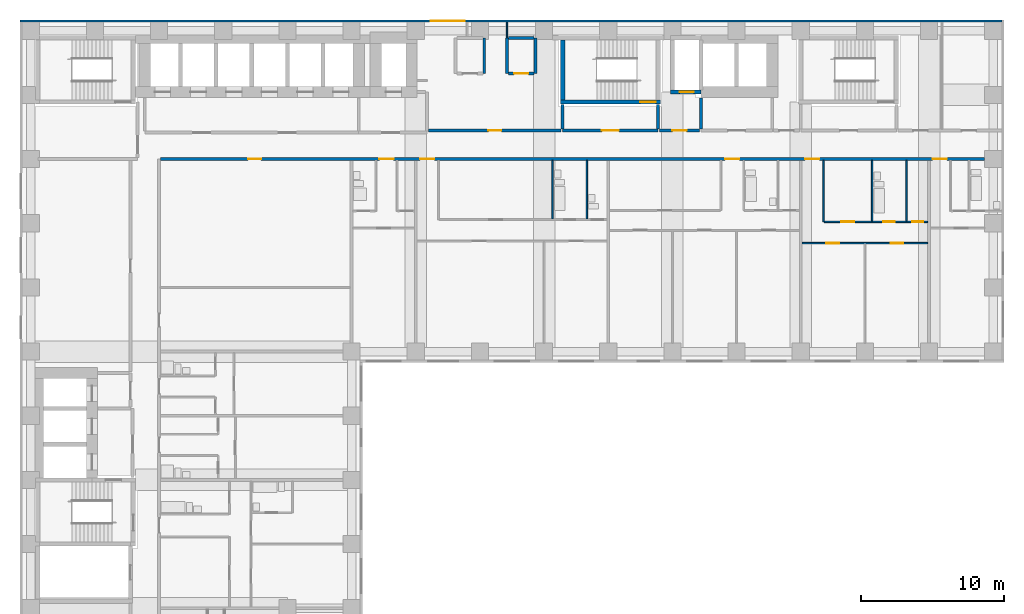
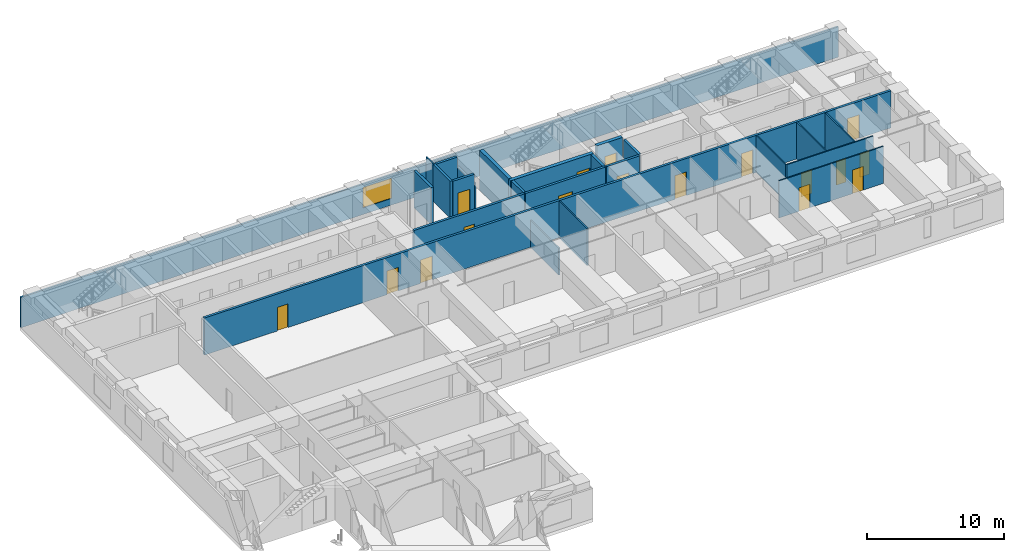
# One storey, part 7 of 11: 24 walls, 17 doors, 1 window, 18 openings.
"""IFC4 building model written with IfcOpenShell, lengths in metres."""

from ifc_helpers import new_model, si_unit, direction, frame, frame_2d, origin, place, context, subcontext, project, spatial, rectangle, extrude, material, layer, layer_set, type_object, element, fill, save


model = new_model("IFC4")

# Units and contexts
model_context = context("Model", 3, precision=1e-05, world=origin(), true_north=direction((0.0, 1.0)))
body_context = subcontext(model_context, "Body", "Model", "MODEL_VIEW")
ifc_project = project(units=[si_unit("LENGTHUNIT", "METRE"), si_unit("AREAUNIT", "SQUARE_METRE"), si_unit("VOLUMEUNIT", "CUBIC_METRE"), si_unit("PLANEANGLEUNIT", "RADIAN"), si_unit("MASSUNIT", "GRAM", prefix="KILO")], contexts=[model_context])

# Site, building, storey
site_placement = place(None, origin())
site = spatial("IfcSite", under=ifc_project, at=site_placement, CompositionType="ELEMENT")
building_placement = place(site_placement, origin())
building = spatial("IfcBuilding", under=site, at=building_placement, Name="Firuza Court", CompositionType="ELEMENT")
storey_placement = place(building_placement, frame((0.0, 0.0, 61.39990234375)))
storey = spatial("IfcBuildingStorey", under=building, at=storey_placement, Name="L14", CompositionType="ELEMENT", Elevation=61.39990234375)

# Walls
ifc_material_1 = material(Name="Moisture-resistant gypsum board partition")
ifc_layer_1 = layer(ifc_material_1, 0.10009765625)
ifc_layer_set_1 = layer_set([ifc_layer_1], Name="Moisture-resistant gypsum board partition")
wall_type_1 = type_object("IfcWallType", Name="Bathroom partition 100", PredefinedType="PLUMBINGWALL", material=ifc_layer_set_1)
for number, where, z_axis, x_axis, name in (
    (1, (59.0, 45.14990234375, 0.0), (0.0, 0.0, 1.0), (0.0, 1.0, 0.0), "Bathroom partition 100 L14"),
    (2, (61.39990234375, 45.14990234375, 0.0), (0.0, 0.0, 1.0), (0.0, 1.0, 0.0), "Bathroom partition 100 L14"),
):
    element("IfcWall", number, at=place(storey_placement, frame(where, z_axis=z_axis, x_axis=x_axis)), inside=storey, type_object=wall_type_1, Name=name, PredefinedType="PLUMBINGWALL", context=body_context, shape_type="SweptSolid", body=[
        extrude(rectangle(XDim=4.25, YDim=0.10009765625, at=frame_2d((2.125, 0.0))), origin(), (0.0, 0.0, 1.0), 3.300048828125),
    ])
wall_1_placement = place(storey_placement, frame((36.60009765625, 45.300048828125, 0.0), z_axis=(0.0, 0.0, 1.0), x_axis=(0.0, 1.0, 0.0)))
element("IfcWall", 3, at=wall_1_placement, inside=storey, type_object=wall_type_1, Name="Bathroom partition 100 L14", PredefinedType="PLUMBINGWALL", context=body_context, shape_type="SweptSolid", body=[
    extrude(rectangle(XDim=4.099853515625, YDim=0.10009765625, at=frame_2d((2.0498046875, 0.0))), origin(), (0.0, 0.0, 1.0), 2.400146484375),
])
wall_2_placement = place(storey_placement, frame((39.0, 45.300048828125, 0.0), z_axis=(0.0, 0.0, 1.0), x_axis=(0.0, 1.0, 0.0)))
element("IfcWall", 4, at=wall_2_placement, inside=storey, type_object=wall_type_1, Name="Bathroom partition 100 L14", PredefinedType="PLUMBINGWALL", context=body_context, shape_type="SweptSolid", body=[
    extrude(rectangle(XDim=4.099853515625, YDim=0.10009765625, at=frame_2d((2.0498046875, 0.0))), origin(), (0.0, 0.0, 1.0), 3.300048828125),
])

# Wall, opening, door
ifc_material_2 = material(Name="Concrete C60/75", Category="concrete")
ifc_layer_2 = layer(ifc_material_2, 0.300048828125)
ifc_layer_set_2 = layer_set([ifc_layer_2], Name="Concrete C60/75")
wall_type_2 = type_object("IfcWallType", Name="Core wall 300 C60/75", PredefinedType="SHEAR", material=ifc_layer_set_2)
wall_3_placement = place(storey_placement, frame((37.14990234375, 53.5, -0.2998046875), z_axis=(0.0, 0.0, 1.0), x_axis=(1.0, 0.0, 0.0)))
wall_3 = element("IfcWall", 5, at=wall_3_placement, inside=storey, type_object=wall_type_2, Name="Core wall stair L14", PredefinedType="SHEAR", context=body_context, shape_type="SweptSolid", body=[
    extrude(rectangle(XDim=7.0, YDim=0.300048828125, at=frame_2d((3.5, 0.0))), origin(), (0.0, 0.0, 1.0), 3.599853515625),
])
opening_1_placement = place(wall_3_placement, frame((5.580078125, 0.0, 0.300048828125)))
opening_1 = element("IfcOpeningElement", 6, at=opening_1_placement, cuts=wall_3, Name="Opening D14013", PredefinedType="OPENING", context=body_context, shape_type="SweptSolid", body=[
    extrude(rectangle(XDim=1.10009765625, YDim=2.10009765625, at=frame_2d((0.550048828125, 1.050048828125))), frame((0.0, 0.162109375, 0.0), z_axis=(0.0, -1.0, 0.0), x_axis=(1.0, 0.0, 0.0)), (0.0, 0.0, 1.0), 0.323974609375),
])
ifc_material_3 = material(Name="Timber door leaf in hardwood frame", Category="wood")
door_type_1 = type_object("IfcDoorType", Name="Stair door 1100", OperationType="SINGLE_SWING_LEFT", PredefinedType="DOOR", material=ifc_material_3)
door_1_placement = place(opening_1_placement, origin())
door_1 = element("IfcDoor", 7, at=door_1_placement, inside=storey, type_object=door_type_1, Name="Stair door S1", OperationType="SINGLE_SWING_RIGHT", OverallHeight=2.10009765625, OverallWidth=1.10009765625, PredefinedType="DOOR", context=body_context, shape_type="SweptSolid", body=[
    extrude(rectangle(XDim=1.10009765625, YDim=2.10009765625, at=frame_2d((0.550048828125, 1.050048828125))), frame((0.0, 0.02490234375, 0.0), z_axis=(0.0, -1.0, 0.0), x_axis=(1.0, 0.0, 0.0)), (0.0, 0.0, 1.0), 0.050048828125),
])
fill(opening_1, door_1)

# Wall
wall_4_placement = place(storey_placement, frame((37.300048828125, 53.64990234375, -0.2998046875), z_axis=(0.0, 0.0, 1.0), x_axis=(0.0, 1.0, 0.0)))
element("IfcWall", 8, at=wall_4_placement, inside=storey, type_object=wall_type_2, Name="Core wall stair L14", PredefinedType="SHEAR", context=body_context, shape_type="SweptSolid", body=[
    extrude(rectangle(XDim=4.2001953125, YDim=0.300048828125, at=frame_2d((2.10009765625, 0.0))), origin(), (0.0, 0.0, 1.0), 3.599853515625),
])

# Wall, opening, door
wall_5_placement = place(storey_placement, frame((44.85009765625, 54.199951171875, -0.2998046875), z_axis=(0.0, 0.0, 1.0), x_axis=(1.0, 0.0, 0.0)))
wall_5 = element("IfcWall", 9, at=wall_5_placement, inside=storey, type_object=wall_type_2, Name="Core wall riser L14", PredefinedType="SHEAR", context=body_context, shape_type="SweptSolid", body=[
    extrude(rectangle(XDim=2.14990234375, YDim=0.300048828125, at=frame_2d((1.074951171875, 0.0))), origin(), (0.0, 0.0, 1.0), 3.599853515625),
])
opening_2_placement = place(wall_5_placement, frame((0.64990234375, 0.0, 0.300048828125)))
opening_2 = element("IfcOpeningElement", 10, at=opening_2_placement, cuts=wall_5, Name="Opening D14011", PredefinedType="OPENING", context=body_context, shape_type="SweptSolid", body=[
    extrude(rectangle(XDim=1.0, YDim=2.10009765625, at=frame_2d((0.5, 1.050048828125))), frame((0.0, 0.162109375, 0.0), z_axis=(0.0, -1.0, 0.0), x_axis=(1.0, 0.0, 0.0)), (0.0, 0.0, 1.0), 0.323974609375),
])
ifc_material_4 = material(Name="Timber door leaf in hardwood frame", Category="wood")
door_type_2 = type_object("IfcDoorType", Name="Riser door 1000", OperationType="SINGLE_SWING_LEFT", PredefinedType="DOOR", material=ifc_material_4)
door_2_placement = place(opening_2_placement, origin())
door_2 = element("IfcDoor", 11, at=door_2_placement, inside=storey, type_object=door_type_2, Name="Riser door R3", OperationType="SINGLE_SWING_LEFT", OverallHeight=2.10009765625, OverallWidth=1.0, PredefinedType="DOOR", context=body_context, shape_type="SweptSolid", body=[
    extrude(rectangle(XDim=1.0, YDim=2.10009765625, at=frame_2d((0.5, 1.050048828125))), frame((0.0, 0.02490234375, 0.0), z_axis=(0.0, -1.0, 0.0), x_axis=(1.0, 0.0, 0.0)), (0.0, 0.0, 1.0), 0.050048828125),
])
fill(opening_2, door_2)

# Wall, openings, doors
ifc_material_5 = material(Name="Blockwork, plastered both sides", Category="masonry")
ifc_layer_3 = layer(ifc_material_5, 0.199951171875)
ifc_layer_set_3 = layer_set([ifc_layer_3], Name="Blockwork, plastered both sides")
wall_type_3 = type_object("IfcWallType", Name="Corridor wall 200", PredefinedType="PARTITIONING", material=ifc_layer_set_3)
wall_6_placement = place(storey_placement, frame((9.10009765625, 49.5, 0.0), z_axis=(0.0, 0.0, 1.0), x_axis=(1.0, 0.0, 0.0)))
wall_6 = element("IfcWall", 12, at=wall_6_placement, inside=storey, type_object=wall_type_3, Name="Corridor wall 200 L14", PredefinedType="PARTITIONING", context=body_context, shape_type="SweptSolid", body=[
    extrude(rectangle(XDim=57.7998046875, YDim=0.199951171875, at=frame_2d((28.89990234375, 0.0))), origin(), (0.0, 0.0, 1.0), 3.300048828125),
])
opening_3_placement = place(wall_6_placement, frame((15.35009765625, 0.0, 0.0)))
opening_3 = element("IfcOpeningElement", 13, at=opening_3_placement, cuts=wall_6, Name="Opening D14064", PredefinedType="OPENING", context=body_context, shape_type="SweptSolid", body=[
    extrude(rectangle(XDim=1.0, YDim=2.10009765625, at=frame_2d((0.5, 1.050048828125))), frame((0.0, 0.11181640625, 0.0), z_axis=(0.0, -1.0, 0.0), x_axis=(1.0, 0.0, 0.0)), (0.0, 0.0, 1.0), 0.223876953125),
])
opening_4_placement = place(wall_6_placement, frame((18.199951171875, 0.0, 0.0)))
opening_4 = element("IfcOpeningElement", 14, at=opening_4_placement, cuts=wall_6, Name="Opening D14065", PredefinedType="OPENING", context=body_context, shape_type="SweptSolid", body=[
    extrude(rectangle(XDim=1.0, YDim=2.10009765625, at=frame_2d((0.5, 1.050048828125))), frame((0.0, 0.11181640625, 0.0), z_axis=(0.0, -1.0, 0.0), x_axis=(1.0, 0.0, 0.0)), (0.0, 0.0, 1.0), 0.223876953125),
])
opening_5_placement = place(wall_6_placement, frame((39.60009765625, 0.0, 0.0)))
opening_5 = element("IfcOpeningElement", 15, at=opening_5_placement, cuts=wall_6, Name="Opening D14066", PredefinedType="OPENING", context=body_context, shape_type="SweptSolid", body=[
    extrude(rectangle(XDim=1.0, YDim=2.10009765625, at=frame_2d((0.5, 1.050048828125))), frame((0.0, 0.11181640625, 0.0), z_axis=(0.0, -1.0, 0.0), x_axis=(1.0, 0.0, 0.0)), (0.0, 0.0, 1.0), 0.223876953125),
])
opening_6_placement = place(wall_6_placement, frame((45.199951171875, 0.0, 0.0)))
opening_6 = element("IfcOpeningElement", 16, at=opening_6_placement, cuts=wall_6, Name="Opening D14067", PredefinedType="OPENING", context=body_context, shape_type="SweptSolid", body=[
    extrude(rectangle(XDim=1.0, YDim=2.10009765625, at=frame_2d((0.5, 1.050048828125))), frame((0.0, 0.11181640625, 0.0), z_axis=(0.0, -1.0, 0.0), x_axis=(1.0, 0.0, 0.0)), (0.0, 0.0, 1.0), 0.223876953125),
])
opening_7_placement = place(wall_6_placement, frame((54.14990234375, 0.0, 0.0)))
opening_7 = element("IfcOpeningElement", 17, at=opening_7_placement, cuts=wall_6, Name="Opening D14068", PredefinedType="OPENING", context=body_context, shape_type="SweptSolid", body=[
    extrude(rectangle(XDim=1.0, YDim=2.10009765625, at=frame_2d((0.5, 1.050048828125))), frame((0.0, 0.11181640625, 0.0), z_axis=(0.0, -1.0, 0.0), x_axis=(1.0, 0.0, 0.0)), (0.0, 0.0, 1.0), 0.223876953125),
])
opening_8_placement = place(wall_6_placement, frame((6.14990234375, 0.0, 0.0)))
opening_8 = element("IfcOpeningElement", 18, at=opening_8_placement, cuts=wall_6, Name="Opening D14069", PredefinedType="OPENING", context=body_context, shape_type="SweptSolid", body=[
    extrude(rectangle(XDim=0.89990234375, YDim=2.10009765625, at=frame_2d((0.449951171875, 1.050048828125))), frame((0.0, 0.11181640625, 0.0), z_axis=(0.0, -1.0, 0.0), x_axis=(1.0, 0.0, 0.0)), (0.0, 0.0, 1.0), 0.223876953125),
])
ifc_material_6 = material(Name="Timber door leaf in hardwood frame", Category="wood")
door_type_3 = type_object("IfcDoorType", Name="Flat entrance door 1000", OperationType="SINGLE_SWING_LEFT", PredefinedType="DOOR", material=ifc_material_6)
door_3_placement = place(opening_3_placement, origin())
door_3 = element("IfcDoor", 19, at=door_3_placement, inside=storey, type_object=door_type_3, Name="Flat entrance door", OperationType="SINGLE_SWING_LEFT", OverallHeight=2.10009765625, OverallWidth=1.0, PredefinedType="DOOR", context=body_context, shape_type="SweptSolid", body=[
    extrude(rectangle(XDim=1.0, YDim=2.10009765625, at=frame_2d((0.5, 1.050048828125))), frame((0.0, 0.02490234375, 0.0), z_axis=(0.0, -1.0, 0.0), x_axis=(1.0, 0.0, 0.0)), (0.0, 0.0, 1.0), 0.050048828125),
])
fill(opening_3, door_3)
door_4_placement = place(opening_4_placement, origin())
door_4 = element("IfcDoor", 20, at=door_4_placement, inside=storey, type_object=door_type_3, Name="Flat entrance door", OperationType="SINGLE_SWING_LEFT", OverallHeight=2.10009765625, OverallWidth=1.0, PredefinedType="DOOR", context=body_context, shape_type="SweptSolid", body=[
    extrude(rectangle(XDim=1.0, YDim=2.10009765625, at=frame_2d((0.5, 1.050048828125))), frame((0.0, 0.02490234375, 0.0), z_axis=(0.0, -1.0, 0.0), x_axis=(1.0, 0.0, 0.0)), (0.0, 0.0, 1.0), 0.050048828125),
])
fill(opening_4, door_4)
door_5_placement = place(opening_5_placement, origin())
door_5 = element("IfcDoor", 21, at=door_5_placement, inside=storey, type_object=door_type_3, Name="Flat entrance door", OperationType="SINGLE_SWING_LEFT", OverallHeight=2.10009765625, OverallWidth=1.0, PredefinedType="DOOR", context=body_context, shape_type="SweptSolid", body=[
    extrude(rectangle(XDim=1.0, YDim=2.10009765625, at=frame_2d((0.5, 1.050048828125))), frame((0.0, 0.02490234375, 0.0), z_axis=(0.0, -1.0, 0.0), x_axis=(1.0, 0.0, 0.0)), (0.0, 0.0, 1.0), 0.050048828125),
])
fill(opening_5, door_5)
door_6_placement = place(opening_6_placement, origin())
door_6 = element("IfcDoor", 22, at=door_6_placement, inside=storey, type_object=door_type_3, Name="Flat entrance door", OperationType="SINGLE_SWING_LEFT", OverallHeight=2.10009765625, OverallWidth=1.0, PredefinedType="DOOR", context=body_context, shape_type="SweptSolid", body=[
    extrude(rectangle(XDim=1.0, YDim=2.10009765625, at=frame_2d((0.5, 1.050048828125))), frame((0.0, 0.02490234375, 0.0), z_axis=(0.0, -1.0, 0.0), x_axis=(1.0, 0.0, 0.0)), (0.0, 0.0, 1.0), 0.050048828125),
])
fill(opening_6, door_6)
door_7_placement = place(opening_7_placement, origin())
door_7 = element("IfcDoor", 23, at=door_7_placement, inside=storey, type_object=door_type_3, Name="Flat entrance door", OperationType="SINGLE_SWING_RIGHT", OverallHeight=2.10009765625, OverallWidth=1.0, PredefinedType="DOOR", context=body_context, shape_type="SweptSolid", body=[
    extrude(rectangle(XDim=1.0, YDim=2.10009765625, at=frame_2d((0.5, 1.050048828125))), frame((0.0, 0.02490234375, 0.0), z_axis=(0.0, -1.0, 0.0), x_axis=(1.0, 0.0, 0.0)), (0.0, 0.0, 1.0), 0.050048828125),
])
fill(opening_7, door_7)
ifc_material_7 = material(Name="Timber door leaf in hardwood frame", Category="wood")
door_type_4 = type_object("IfcDoorType", Name="Room door 900 EI 30", OperationType="SINGLE_SWING_LEFT", PredefinedType="DOOR", material=ifc_material_7)
door_8_placement = place(opening_8_placement, origin())
door_8 = element("IfcDoor", 24, at=door_8_placement, inside=storey, type_object=door_type_4, Name="Residents' dining room door", OperationType="SINGLE_SWING_LEFT", OverallHeight=2.10009765625, OverallWidth=0.89990234375, PredefinedType="DOOR", context=body_context, shape_type="SweptSolid", body=[
    extrude(rectangle(XDim=0.89990234375, YDim=2.10009765625, at=frame_2d((0.449951171875, 1.050048828125))), frame((0.0, 0.02490234375, 0.0), z_axis=(0.0, -1.0, 0.0), x_axis=(1.0, 0.0, 0.0)), (0.0, 0.0, 1.0), 0.050048828125),
])
fill(opening_8, door_8)

# Wall, opening, door
wall_7_placement = place(storey_placement, frame((27.89990234375, 51.5, 0.0), z_axis=(0.0, 0.0, 1.0), x_axis=(1.0, 0.0, 0.0)))
wall_7 = element("IfcWall", 25, at=wall_7_placement, inside=storey, type_object=wall_type_3, Name="Corridor wall 200 L14", PredefinedType="PARTITIONING", context=body_context, shape_type="SweptSolid", body=[
    extrude(rectangle(XDim=9.300048828125, YDim=0.199951171875, at=frame_2d((4.64990234375, 0.0))), origin(), (0.0, 0.0, 1.0), 3.300048828125),
])
opening_9_placement = place(wall_7_placement, frame((4.199951171875, 0.0, 0.0)))
opening_9 = element("IfcOpeningElement", 26, at=opening_9_placement, cuts=wall_7, Name="Opening D14070", PredefinedType="OPENING", context=body_context, shape_type="SweptSolid", body=[
    extrude(rectangle(XDim=0.89990234375, YDim=2.10009765625, at=frame_2d((0.449951171875, 1.050048828125))), frame((0.0, 0.11181640625, 0.0), z_axis=(0.0, -1.0, 0.0), x_axis=(1.0, 0.0, 0.0)), (0.0, 0.0, 1.0), 0.223876953125),
])
door_9_placement = place(opening_9_placement, origin())
door_9 = element("IfcDoor", 27, at=door_9_placement, inside=storey, type_object=door_type_4, Name="Meeting room door", OperationType="SINGLE_SWING_LEFT", OverallHeight=2.10009765625, OverallWidth=0.89990234375, PredefinedType="DOOR", context=body_context, shape_type="SweptSolid", body=[
    extrude(rectangle(XDim=0.89990234375, YDim=2.10009765625, at=frame_2d((0.449951171875, 1.050048828125))), frame((0.0, 0.02490234375, 0.0), z_axis=(0.0, -1.0, 0.0), x_axis=(1.0, 0.0, 0.0)), (0.0, 0.0, 1.0), 0.050048828125),
])
fill(opening_9, door_9)

wall_8_placement = place(storey_placement, frame((44.10009765625, 51.5, 0.0), z_axis=(0.0, 0.0, 1.0), x_axis=(1.0, 0.0, 0.0)))
wall_8 = element("IfcWall", 28, at=wall_8_placement, inside=storey, type_object=wall_type_3, Name="Corridor wall 200 L14", PredefinedType="PARTITIONING", context=body_context, shape_type="SweptSolid", body=[
    extrude(rectangle(XDim=2.7998046875, YDim=0.199951171875, at=frame_2d((1.39990234375, 0.0))), origin(), (0.0, 0.0, 1.0), 3.300048828125),
])
opening_10_placement = place(wall_8_placement, frame((0.89990234375, 0.0, 0.0)))
opening_10 = element("IfcOpeningElement", 29, at=opening_10_placement, cuts=wall_8, Name="Opening D14071", PredefinedType="OPENING", context=body_context, shape_type="SweptSolid", body=[
    extrude(rectangle(XDim=1.0, YDim=2.10009765625, at=frame_2d((0.5, 1.050048828125))), frame((0.0, 0.11181640625, 0.0), z_axis=(0.0, -1.0, 0.0), x_axis=(1.0, 0.0, 0.0)), (0.0, 0.0, 1.0), 0.223876953125),
])
ifc_material_8 = material(Name="Timber door leaf in hardwood frame", Category="wood")
door_type_5 = type_object("IfcDoorType", Name="Store door 1000", OperationType="SINGLE_SWING_LEFT", PredefinedType="DOOR", material=ifc_material_8)
door_10_placement = place(opening_10_placement, origin())
door_10 = element("IfcDoor", 30, at=door_10_placement, inside=storey, type_object=door_type_5, Name="Electrical room door", OperationType="SINGLE_SWING_LEFT", OverallHeight=2.10009765625, OverallWidth=1.0, PredefinedType="DOOR", context=body_context, shape_type="SweptSolid", body=[
    extrude(rectangle(XDim=1.0, YDim=2.10009765625, at=frame_2d((0.5, 1.050048828125))), frame((0.0, 0.02490234375, 0.0), z_axis=(0.0, -1.0, 0.0), x_axis=(1.0, 0.0, 0.0)), (0.0, 0.0, 1.0), 0.050048828125),
])
fill(opening_10, door_10)

# Wall, openings, doors
ifc_material_9 = material(Name="Timber stud partition, plasterboard both sides", Category="wood")
ifc_layer_4 = layer(ifc_material_9, 0.10009765625)
ifc_layer_set_4 = layer_set([ifc_layer_4], Name="Timber stud partition, plasterboard both sides")
wall_type_4 = type_object("IfcWallType", Name="Partition wall 100", PredefinedType="PARTITIONING", material=ifc_layer_set_4)
wall_9_placement = place(storey_placement, frame((54.10009765625, 43.60009765625, 0.0), z_axis=(0.0, 0.0, 1.0), x_axis=(1.0, 0.0, 0.0)))
wall_9 = element("IfcWall", 31, at=wall_9_placement, inside=storey, type_object=wall_type_4, Name="Partition wall 100 L14", PredefinedType="PARTITIONING", context=body_context, shape_type="SweptSolid", body=[
    extrude(rectangle(XDim=8.7998046875, YDim=0.10009765625, at=frame_2d((4.39990234375, 0.0))), origin(), (0.0, 0.0, 1.0), 3.300048828125),
])
opening_11_placement = place(wall_9_placement, frame((1.699951171875, 0.0, 0.0)))
opening_11 = element("IfcOpeningElement", 32, at=opening_11_placement, cuts=wall_9, Name="Opening D14042", PredefinedType="OPENING", context=body_context, shape_type="SweptSolid", body=[
    extrude(rectangle(XDim=0.89990234375, YDim=2.10009765625, at=frame_2d((0.449951171875, 1.050048828125))), frame((0.0, 0.06201171875, 0.0), z_axis=(0.0, -1.0, 0.0), x_axis=(1.0, 0.0, 0.0)), (0.0, 0.0, 1.0), 0.1240234375),
])
opening_12_placement = place(wall_9_placement, frame((6.199951171875, 0.0, 0.0)))
opening_12 = element("IfcOpeningElement", 33, at=opening_12_placement, cuts=wall_9, Name="Opening D14043", PredefinedType="OPENING", context=body_context, shape_type="SweptSolid", body=[
    extrude(rectangle(XDim=0.89990234375, YDim=2.10009765625, at=frame_2d((0.449951171875, 1.050048828125))), frame((0.0, 0.06201171875, 0.0), z_axis=(0.0, -1.0, 0.0), x_axis=(1.0, 0.0, 0.0)), (0.0, 0.0, 1.0), 0.1240234375),
])
ifc_material_10 = material(Name="Timber door leaf in hardwood frame", Category="wood")
door_type_6 = type_object("IfcDoorType", Name="Room door 900", OperationType="SINGLE_SWING_LEFT", PredefinedType="DOOR", material=ifc_material_10)
door_11_placement = place(opening_11_placement, frame((0.89990234375, 0.0, 0.0), z_axis=(0.0, 0.0, 1.0), x_axis=(-1.0, 0.0, 0.0)))
door_11 = element("IfcDoor", 34, at=door_11_placement, inside=storey, type_object=door_type_6, Name="Living room door", OperationType="SINGLE_SWING_RIGHT", OverallHeight=2.10009765625, OverallWidth=0.89990234375, PredefinedType="DOOR", context=body_context, shape_type="SweptSolid", body=[
    extrude(rectangle(XDim=0.89990234375, YDim=2.10009765625, at=frame_2d((0.449951171875, 1.050048828125))), frame((0.0, 0.02490234375, 0.0), z_axis=(0.0, -1.0, 0.0), x_axis=(1.0, 0.0, 0.0)), (0.0, 0.0, 1.0), 0.050048828125),
])
fill(opening_11, door_11)
door_12_placement = place(opening_12_placement, frame((0.89990234375, 0.0, 0.0), z_axis=(0.0, 0.0, 1.0), x_axis=(-1.0, 0.0, 0.0)))
door_12 = element("IfcDoor", 35, at=door_12_placement, inside=storey, type_object=door_type_6, Name="Bedroom door", OperationType="SINGLE_SWING_RIGHT", OverallHeight=2.10009765625, OverallWidth=0.89990234375, PredefinedType="DOOR", context=body_context, shape_type="SweptSolid", body=[
    extrude(rectangle(XDim=0.89990234375, YDim=2.10009765625, at=frame_2d((0.449951171875, 1.050048828125))), frame((0.0, 0.02490234375, 0.0), z_axis=(0.0, -1.0, 0.0), x_axis=(1.0, 0.0, 0.0)), (0.0, 0.0, 1.0), 0.050048828125),
])
fill(opening_12, door_12)

# Wall
wall_10_placement = place(storey_placement, frame((55.60009765625, 45.10009765625, 0.0), z_axis=(0.0, 0.0, 1.0), x_axis=(0.0, 1.0, 0.0)))
element("IfcWall", 36, at=wall_10_placement, inside=storey, type_object=wall_type_4, Name="Partition wall 100 L14", PredefinedType="PARTITIONING", context=body_context, shape_type="SweptSolid", body=[
    extrude(rectangle(XDim=4.2998046875, YDim=0.10009765625, at=frame_2d((2.14990234375, 0.0))), origin(), (0.0, 0.0, 1.0), 3.300048828125),
])

# Wall, openings, doors
wall_11_placement = place(storey_placement, frame((55.64990234375, 45.10009765625, 0.0), z_axis=(0.0, 0.0, 1.0), x_axis=(1.0, 0.0, 0.0)))
wall_11 = element("IfcWall", 37, at=wall_11_placement, inside=storey, type_object=wall_type_4, Name="Partition wall 100 L14", PredefinedType="PARTITIONING", context=body_context, shape_type="SweptSolid", body=[
    extrude(rectangle(XDim=7.25, YDim=0.10009765625, at=frame_2d((3.625, 0.0))), origin(), (0.0, 0.0, 1.0), 3.300048828125),
])
opening_13_placement = place(wall_11_placement, frame((4.14990234375, 0.0, 0.0)))
opening_13 = element("IfcOpeningElement", 38, at=opening_13_placement, cuts=wall_11, Name="Opening D14051", PredefinedType="OPENING", context=body_context, shape_type="SweptSolid", body=[
    extrude(rectangle(XDim=0.800048828125, YDim=2.10009765625, at=frame_2d((0.39990234375, 1.050048828125))), frame((0.0, 0.06201171875, 0.0), z_axis=(0.0, -1.0, 0.0), x_axis=(1.0, 0.0, 0.0)), (0.0, 0.0, 1.0), 0.1240234375),
])
opening_14_placement = place(wall_11_placement, frame((1.199951171875, 0.0, 0.0)))
opening_14 = element("IfcOpeningElement", 39, at=opening_14_placement, cuts=wall_11, Name="Opening D14052", PredefinedType="OPENING", context=body_context, shape_type="SweptSolid", body=[
    extrude(rectangle(XDim=0.89990234375, YDim=2.10009765625, at=frame_2d((0.449951171875, 1.050048828125))), frame((0.0, 0.06201171875, 0.0), z_axis=(0.0, -1.0, 0.0), x_axis=(1.0, 0.0, 0.0)), (0.0, 0.0, 1.0), 0.1240234375),
])
opening_15_placement = place(wall_11_placement, frame((6.14990234375, 0.0, 0.0)))
opening_15 = element("IfcOpeningElement", 40, at=opening_15_placement, cuts=wall_11, Name="Opening D14053", PredefinedType="OPENING", context=body_context, shape_type="SweptSolid", body=[
    extrude(rectangle(XDim=0.800048828125, YDim=2.10009765625, at=frame_2d((0.39990234375, 1.050048828125))), frame((0.0, 0.06201171875, 0.0), z_axis=(0.0, -1.0, 0.0), x_axis=(1.0, 0.0, 0.0)), (0.0, 0.0, 1.0), 0.1240234375),
])
ifc_material_11 = material(Name="Timber door leaf in hardwood frame", Category="wood")
door_type_7 = type_object("IfcDoorType", Name="Bathroom door 800", OperationType="SINGLE_SWING_LEFT", PredefinedType="DOOR", material=ifc_material_11)
door_13_placement = place(opening_13_placement, origin())
door_13 = element("IfcDoor", 41, at=door_13_placement, inside=storey, type_object=door_type_7, Name="Bathroom door", OperationType="SINGLE_SWING_LEFT", OverallHeight=2.10009765625, OverallWidth=0.800048828125, PredefinedType="DOOR", context=body_context, shape_type="SweptSolid", body=[
    extrude(rectangle(XDim=0.800048828125, YDim=2.10009765625, at=frame_2d((0.39990234375, 1.050048828125))), frame((0.0, 0.02490234375, 0.0), z_axis=(0.0, -1.0, 0.0), x_axis=(1.0, 0.0, 0.0)), (0.0, 0.0, 1.0), 0.050048828125),
])
fill(opening_13, door_13)
ifc_material_12 = material(Name="Timber door leaf in hardwood frame", Category="wood")
door_type_8 = type_object("IfcDoorType", Name="Room door 800", OperationType="SINGLE_SWING_LEFT", PredefinedType="DOOR", material=ifc_material_12)
door_14_placement = place(opening_15_placement, origin())
door_14 = element("IfcDoor", 42, at=door_14_placement, inside=storey, type_object=door_type_8, Name="Store door", OperationType="SINGLE_SWING_LEFT", OverallHeight=2.10009765625, OverallWidth=0.800048828125, PredefinedType="DOOR", context=body_context, shape_type="SweptSolid", body=[
    extrude(rectangle(XDim=0.800048828125, YDim=2.10009765625, at=frame_2d((0.39990234375, 1.050048828125))), frame((0.0, 0.02490234375, 0.0), z_axis=(0.0, -1.0, 0.0), x_axis=(1.0, 0.0, 0.0)), (0.0, 0.0, 1.0), 0.050048828125),
])
fill(opening_15, door_14)
door_15_placement = place(opening_14_placement, origin())
door_15 = element("IfcDoor", 43, at=door_15_placement, inside=storey, type_object=door_type_6, Name="Kitchen door", OperationType="SINGLE_SWING_LEFT", OverallHeight=2.10009765625, OverallWidth=0.89990234375, PredefinedType="DOOR", context=body_context, shape_type="SweptSolid", body=[
    extrude(rectangle(XDim=0.89990234375, YDim=2.10009765625, at=frame_2d((0.449951171875, 1.050048828125))), frame((0.0, 0.02490234375, 0.0), z_axis=(0.0, -1.0, 0.0), x_axis=(1.0, 0.0, 0.0)), (0.0, 0.0, 1.0), 0.050048828125),
])
fill(opening_14, door_15)

# Walls
wall_12_placement = place(storey_placement, frame((33.39990234375, 58.0, 0.0), z_axis=(0.0, 0.0, 1.0), x_axis=(0.0, 1.0, 0.0)))
element("IfcWall", 44, at=wall_12_placement, inside=storey, type_object=wall_type_4, Name="Partition wall 100 L14", PredefinedType="PARTITIONING", context=body_context, shape_type="SweptSolid", body=[
    extrude(rectangle(XDim=1.10009765625, YDim=0.10009765625, at=frame_2d((0.550048828125, 0.0))), origin(), (0.0, 0.0, 1.0), 3.300048828125),
])
ifc_material_13 = material(Name="Blockwork, fire-rated", Category="masonry")
ifc_layer_5 = layer(ifc_material_13, 0.199951171875)
ifc_layer_set_5 = layer_set([ifc_layer_5], Name="Blockwork, fire-rated")
wall_type_5 = type_object("IfcWallType", Name="Plant room wall 200", PredefinedType="PARTITIONING", material=ifc_layer_set_5)
for number, where, z_axis, x_axis, name in (
    (45, (31.800048828125, 55.5, 0.0), (0.0, 0.0, 1.0), (0.0, 1.0, 0.0), "Plant room wall 200 L14"),
    (46, (33.39990234375, 55.5, 0.0), (0.0, 0.0, 1.0), (0.0, 1.0, 0.0), "Plant room wall 200 L14"),
):
    element("IfcWall", number, at=place(storey_placement, frame(where, z_axis=z_axis, x_axis=x_axis)), inside=storey, type_object=wall_type_5, Name=name, PredefinedType="PARTITIONING", context=body_context, shape_type="SweptSolid", body=[
        extrude(rectangle(XDim=2.5, YDim=0.199951171875, at=frame_2d((1.25, 0.0))), origin(), (0.0, 0.0, 1.0), 3.300048828125),
    ])

# Wall, opening, door
wall_13_placement = place(storey_placement, frame((33.5, 55.5, 0.0), z_axis=(0.0, 0.0, 1.0), x_axis=(1.0, 0.0, 0.0)))
wall_13 = element("IfcWall", 47, at=wall_13_placement, inside=storey, type_object=wall_type_5, Name="Plant room wall 200 L14", PredefinedType="PARTITIONING", context=body_context, shape_type="SweptSolid", body=[
    extrude(rectangle(XDim=1.800048828125, YDim=0.199951171875, at=frame_2d((0.89990234375, 0.0))), origin(), (0.0, 0.0, 1.0), 3.300048828125),
])
opening_16_placement = place(wall_13_placement, frame((0.39990234375, 0.0, 0.0)))
opening_16 = element("IfcOpeningElement", 48, at=opening_16_placement, cuts=wall_13, Name="Opening D14076", PredefinedType="OPENING", context=body_context, shape_type="SweptSolid", body=[
    extrude(rectangle(XDim=1.0, YDim=2.10009765625, at=frame_2d((0.5, 1.050048828125))), frame((0.0, 0.11181640625, 0.0), z_axis=(0.0, -1.0, 0.0), x_axis=(1.0, 0.0, 0.0)), (0.0, 0.0, 1.0), 0.223876953125),
])
door_16_placement = place(opening_16_placement, origin())
door_16 = element("IfcDoor", 49, at=door_16_placement, inside=storey, type_object=door_type_2, Name="Duct riser door", OperationType="SINGLE_SWING_LEFT", OverallHeight=2.10009765625, OverallWidth=1.0, PredefinedType="DOOR", context=body_context, shape_type="SweptSolid", body=[
    extrude(rectangle(XDim=1.0, YDim=2.10009765625, at=frame_2d((0.5, 1.050048828125))), frame((0.0, 0.02490234375, 0.0), z_axis=(0.0, -1.0, 0.0), x_axis=(1.0, 0.0, 0.0)), (0.0, 0.0, 1.0), 0.050048828125),
])
fill(opening_16, door_16)

# Walls
wall_14_placement = place(storey_placement, frame((35.39990234375, 55.5, 0.0), z_axis=(0.0, 0.0, 1.0), x_axis=(0.0, 1.0, 0.0)))
element("IfcWall", 50, at=wall_14_placement, inside=storey, type_object=wall_type_5, Name="Plant room wall 200 L14", PredefinedType="PARTITIONING", context=body_context, shape_type="SweptSolid", body=[
    extrude(rectangle(XDim=2.5, YDim=0.199951171875, at=frame_2d((1.25, 0.0))), origin(), (0.0, 0.0, 1.0), 2.400146484375),
])
wall_15_placement = place(storey_placement, frame((33.5, 58.0, 0.0), z_axis=(0.0, 0.0, 1.0), x_axis=(1.0, 0.0, 0.0)))
element("IfcWall", 51, at=wall_15_placement, inside=storey, type_object=wall_type_5, Name="Plant room wall 200 L14", PredefinedType="PARTITIONING", context=body_context, shape_type="SweptSolid", body=[
    extrude(rectangle(XDim=1.800048828125, YDim=0.199951171875, at=frame_2d((0.89990234375, 0.0))), origin(), (0.0, 0.0, 1.0), 3.300048828125),
])

# Wall, opening, window
ifc_material_14 = material(Name="Ceramic tile", Category="ceramic")
ifc_layer_6 = layer(ifc_material_14, 0.02001953125)
ifc_material_15 = material(Name="Mineral wool insulation", Category="insulation")
ifc_layer_7 = layer(ifc_material_15, 0.050048828125)
ifc_material_16 = material(Name="Concrete C40/50 precast", Category="concrete")
ifc_layer_8 = layer(ifc_material_16, 0.080078125)
ifc_layer_set_6 = layer_set([ifc_layer_6, ifc_layer_7, ifc_layer_8], Name="Concrete C40/50 precast")
wall_type_6 = type_object("IfcWallType", Name="Precast cladding wall with turquoise TILE PANEL face 150", PredefinedType="STANDARD", material=ifc_layer_set_6)
wall_16_placement = place(storey_placement, frame((68.10009765625, 59.175048828125, 0.0), z_axis=(0.0, 0.0, 1.0), x_axis=(-1.0, 0.0, 0.0)))
wall_16 = element("IfcWall", 52, at=wall_16_placement, inside=storey, type_object=wall_type_6, Name="Facade wall L14 N", PredefinedType="STANDARD", context=body_context, shape_type="SweptSolid", body=[
    extrude(rectangle(XDim=68.85009765625, YDim=0.14990234375, at=frame_2d((34.425048828125, 0.0))), origin(), (0.0, 0.0, 1.0), 2.7001953125),
])
opening_17_placement = place(wall_16_placement, frame((37.64990234375, 0.0, 0.60009765625)))
opening_17 = element("IfcOpeningElement", 53, at=opening_17_placement, cuts=wall_16, Name="Opening W1", PredefinedType="OPENING", context=body_context, shape_type="SweptSolid", body=[
    extrude(rectangle(XDim=2.39990234375, YDim=1.800048828125, at=frame_2d((1.199951171875, 0.89990234375))), frame((0.0, 0.0869140625, 0.0), z_axis=(0.0, -1.0, 0.0), x_axis=(1.0, 0.0, 0.0)), (0.0, 0.0, 1.0), 0.173828125),
])
ifc_material_17 = material(Name="Aluminium frame, triple clear glazing", Category="aluminium")
window_type = type_object("IfcWindowType", Name="Window W1 2400 x 1800", PartitioningType="SINGLE_PANEL", PredefinedType="WINDOW", material=ifc_material_17)
window_placement = place(opening_17_placement, origin())
window = element("IfcWindow", 54, at=window_placement, inside=storey, type_object=window_type, Name="Window L14", OverallHeight=1.800048828125, OverallWidth=2.39990234375, PartitioningType="SINGLE_PANEL", PredefinedType="WINDOW", context=body_context, shape_type="SweptSolid", body=[
    extrude(rectangle(XDim=2.39990234375, YDim=1.800048828125, at=frame_2d((1.199951171875, 0.89990234375))), frame((0.0, 0.030029296875, 0.0), z_axis=(0.0, -1.0, 0.0), x_axis=(1.0, 0.0, 0.0)), (0.0, 0.0, 1.0), 0.06005859375),
])
fill(opening_17, window)

# Wall
ifc_layer_9 = layer(ifc_material_13, 0.199951171875)
ifc_layer_set_7 = layer_set([ifc_layer_9], Name="Blockwork, fire-rated")
wall_type_7 = type_object("IfcWallType", Name="Shaft wall 200", PredefinedType="PARTITIONING", material=ifc_layer_set_7)
wall_17_placement = place(storey_placement, frame((47.0, 51.60009765625, 0.0), z_axis=(0.0, 0.0, 1.0), x_axis=(0.0, 1.0, 0.0)))
element("IfcWall", 55, at=wall_17_placement, inside=storey, type_object=wall_type_7, Name="Shaft wall 200 L14", PredefinedType="PARTITIONING", context=body_context, shape_type="SweptSolid", body=[
    extrude(rectangle(XDim=2.179931640625, YDim=0.199951171875, at=frame_2d((1.08984375, 0.0))), origin(), (0.0, 0.0, 1.0), 3.300048828125),
])

# Wall, opening, door
wall_18_placement = place(storey_placement, frame((37.300048828125, 51.5, 0.0), z_axis=(0.0, 0.0, 1.0), x_axis=(1.0, 0.0, 0.0)))
wall_18 = element("IfcWall", 56, at=wall_18_placement, inside=storey, type_object=wall_type_7, Name="Shaft wall 200 L14", PredefinedType="PARTITIONING", context=body_context, shape_type="SweptSolid", body=[
    extrude(rectangle(XDim=6.699951171875, YDim=0.199951171875, at=frame_2d((3.35009765625, 0.0))), origin(), (0.0, 0.0, 1.0), 3.300048828125),
])
opening_18_placement = place(wall_18_placement, frame((2.75, 0.0, 0.0)))
opening_18 = element("IfcOpeningElement", 57, at=opening_18_placement, cuts=wall_18, Name="Opening D14006", PredefinedType="OPENING", context=body_context, shape_type="SweptSolid", body=[
    extrude(rectangle(XDim=1.199951171875, YDim=2.10009765625, at=frame_2d((0.60009765625, 1.050048828125))), frame((0.0, 0.11181640625, 0.0), z_axis=(0.0, -1.0, 0.0), x_axis=(1.0, 0.0, 0.0)), (0.0, 0.0, 1.0), 0.223876953125),
])
ifc_material_18 = material(Name="Timber door leaf in hardwood frame", Category="wood")
door_type_9 = type_object("IfcDoorType", Name="Lobby door 1200", OperationType="SINGLE_SWING_LEFT", PredefinedType="DOOR", material=ifc_material_18)
door_17_placement = place(opening_18_placement, origin())
door_17 = element("IfcDoor", 58, at=door_17_placement, inside=storey, type_object=door_type_9, Name="Lobby door", OperationType="SINGLE_SWING_LEFT", OverallHeight=2.10009765625, OverallWidth=1.199951171875, PredefinedType="DOOR", context=body_context, shape_type="SweptSolid", body=[
    extrude(rectangle(XDim=1.199951171875, YDim=2.10009765625, at=frame_2d((0.60009765625, 1.050048828125))), frame((0.0, 0.02490234375, 0.0), z_axis=(0.0, -1.0, 0.0), x_axis=(1.0, 0.0, 0.0)), (0.0, 0.0, 1.0), 0.050048828125),
])
fill(opening_18, door_17)

# Walls
for number, where, z_axis, x_axis, name in (
    (59, (44.0, 51.60009765625, 0.0), (0.0, 0.0, 1.0), (0.0, 1.0, 0.0), "Shaft wall 200 L14"),
    (60, (37.300048828125, 51.60009765625, 0.0), (0.0, 0.0, 1.0), (0.0, 1.0, 0.0), "Shaft wall 200 L14"),
):
    element("IfcWall", number, at=place(storey_placement, frame(where, z_axis=z_axis, x_axis=x_axis)), inside=storey, type_object=wall_type_7, Name=name, PredefinedType="PARTITIONING", context=body_context, shape_type="SweptSolid", body=[
        extrude(rectangle(XDim=1.72998046875, YDim=0.199951171875, at=frame_2d((0.864990234375, 0.0))), origin(), (0.0, 0.0, 1.0), 3.300048828125),
    ])

save(model, "model.ifc")
